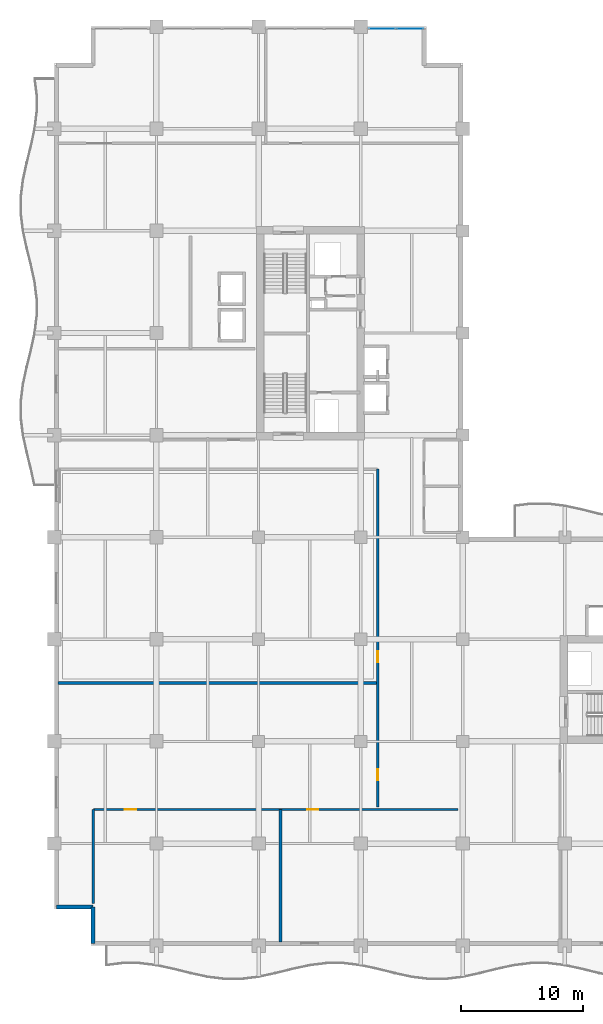
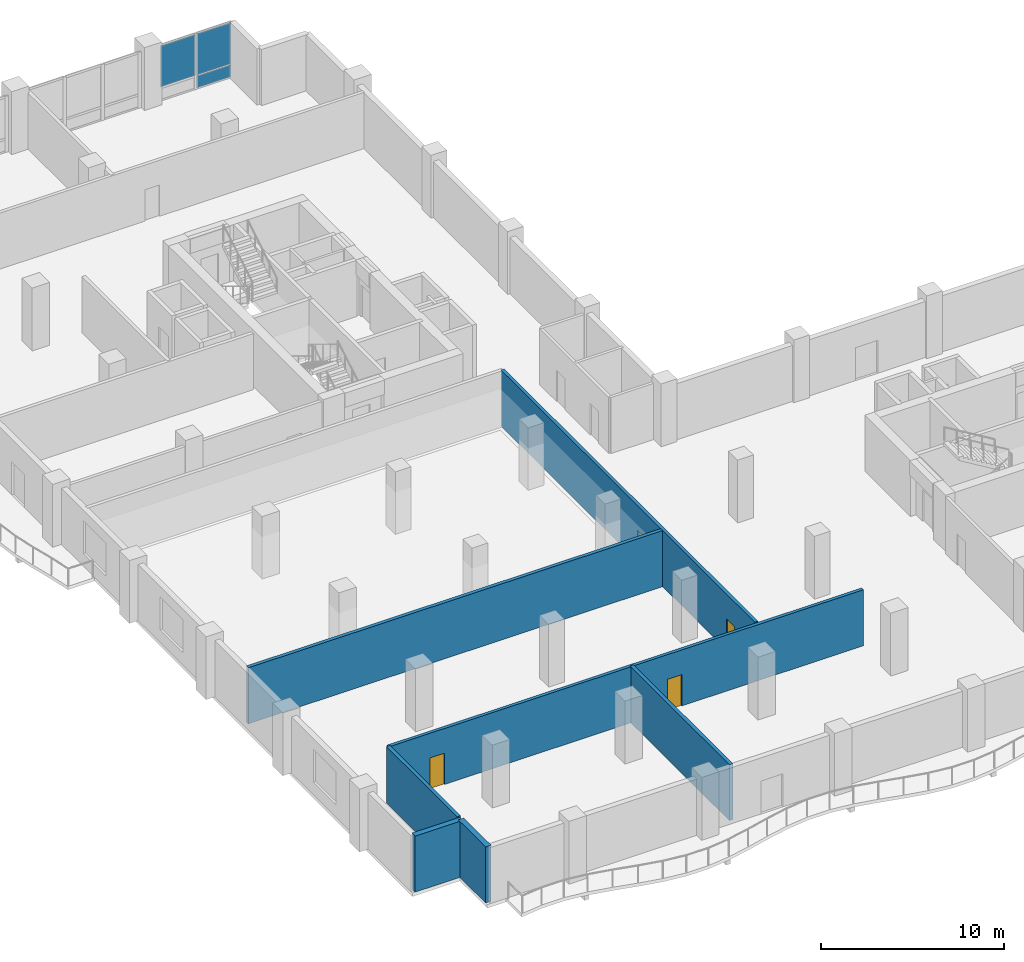
# One storey, part 10 of 21: 7 walls, 4 doors, 3 plates, 4 openings, 1 element without a shape of its own.
"""IFC4 building model written with IfcOpenShell, lengths in metres."""

from ifc_helpers import new_model, si_unit, direction, frame, frame_2d, origin, origin_2d, place, context, subcontext, project, spatial, rectangle, extrude, material, layer, layer_set, type_object, element, fill, aggregate, save


model = new_model("IFC4")

# Units and contexts
model_context = context("Model", 3, precision=1e-05, world=origin(), true_north=direction((0.0, 1.0)))
body_context = subcontext(model_context, "Body", "Model", "MODEL_VIEW")
ifc_project = project(units=[si_unit("LENGTHUNIT", "METRE"), si_unit("AREAUNIT", "SQUARE_METRE"), si_unit("VOLUMEUNIT", "CUBIC_METRE"), si_unit("PLANEANGLEUNIT", "RADIAN"), si_unit("MASSUNIT", "GRAM", prefix="KILO")], contexts=[model_context])

# Site, building, storey
site_placement = place(None, origin())
site = spatial("IfcSite", under=ifc_project, at=site_placement, CompositionType="ELEMENT")
building_placement = place(site_placement, origin())
building = spatial("IfcBuilding", under=site, at=building_placement, Name="Koriwani Terraces Tower", CompositionType="ELEMENT")
storey_placement = place(building_placement, frame((0.0, 0.0, 224.0)))
storey = spatial("IfcBuildingStorey", under=building, at=storey_placement, Name="L55", CompositionType="ELEMENT", Elevation=224.0)

# Curtain wall, plates
ifc_material_1 = material(Name="Anodised Bronze Aluminium", Category="aluminium")
ifc_layer_1 = layer(ifc_material_1, 0.219970703125, Name="Anodised Bronze Aluminium")
ifc_layer_set_1 = layer_set([ifc_layer_1], Name="Anodised Bronze Aluminium")
curtain_wall_type = type_object("IfcCurtainWallType", Name="CW_SKY_LOUNGE", PredefinedType="NOTDEFINED", material=ifc_layer_set_1)
curtain_wall_placement = place(storey_placement, origin())
curtain_wall = element("IfcCurtainWall", 1, at=curtain_wall_placement, inside=storey, type_object=curtain_wall_type, Name="L55 Unitised Curtain Wall (N_TIP) Bay 4", PredefinedType="NOTDEFINED")
ifc_material_2 = material(Name="Tempered Laminated Low-E Glass", Category="glass")
ifc_layer_2 = layer(ifc_material_2, 0.028076171875, Name="Tempered Laminated Low-E Glass")
ifc_layer_set_2 = layer_set([ifc_layer_2], Name="Tempered Laminated Low-E Glass")
plate_type = type_object("IfcPlateType", Name="CW_PANEL_VISION_28", PredefinedType="CURTAIN_PANEL", material=ifc_layer_set_2)
plate_1_placement = place(storey_placement, frame((26.985107421875, 75.425048828125, 0.9326171875), z_axis=(0.0, 0.0, 1.0), x_axis=(1.0, 0.0, 0.0)))
plate_1 = element("IfcPlate", 2, at=plate_1_placement, type_object=plate_type, Name="CW-SKY panel 1.2", PredefinedType="CURTAIN_PANEL", context=body_context, shape_type="SweptSolid", body=[
    extrude(rectangle(XDim=2.179931640625, YDim=0.028076171875, at=origin_2d()), origin(), (0.0, 0.0, 1.0), 2.75244140625),
])
plate_2_placement = place(storey_placement, frame((29.25, 75.425048828125, 0.06494140625), z_axis=(0.0, 0.0, 1.0), x_axis=(1.0, 0.0, 0.0)))
plate_2 = element("IfcPlate", 3, at=plate_2_placement, type_object=plate_type, Name="CW-SKY panel 2.1", PredefinedType="CURTAIN_PANEL", context=body_context, shape_type="SweptSolid", body=[
    extrude(rectangle(XDim=2.179931640625, YDim=0.028076171875, at=origin_2d()), origin(), (0.0, 0.0, 1.0), 0.802490234375),
])
plate_3_placement = place(storey_placement, frame((29.25, 75.425048828125, 0.9326171875), z_axis=(0.0, 0.0, 1.0), x_axis=(1.0, 0.0, 0.0)))
plate_3 = element("IfcPlate", 4, at=plate_3_placement, type_object=plate_type, Name="CW-SKY panel 2.2", PredefinedType="CURTAIN_PANEL", context=body_context, shape_type="SweptSolid", body=[
    extrude(rectangle(XDim=2.179931640625, YDim=0.028076171875, at=origin_2d()), origin(), (0.0, 0.0, 1.0), 2.75244140625),
])
aggregate(curtain_wall, [plate_1, plate_2, plate_3])

# Wall, openings, doors
ifc_material_3 = material(Name="Autoclaved Cellular Concrete Blockwork", Category="masonry")
ifc_layer_3 = layer(ifc_material_3, 0.199951171875, Name="Autoclaved Cellular Concrete Blockwork")
ifc_layer_set_3 = layer_set([ifc_layer_3], Name="Autoclaved Cellular Concrete Blockwork")
wall_type_1 = type_object("IfcWallType", Name="WALL_CORRIDOR_200", PredefinedType="PARTITIONING", material=ifc_layer_set_3)
wall_1_placement = place(storey_placement, frame((3.199951171875, 11.199951171875, 0.0), z_axis=(0.0, 0.0, 1.0), x_axis=(1.0, 0.0, 0.0)))
wall_1 = element("IfcWall", 5, at=wall_1_placement, inside=storey, type_object=wall_type_1, Name="L55 Interior Wall WSKY-SPN-L55", PredefinedType="PARTITIONING", context=body_context, shape_type="SweptSolid", body=[
    extrude(rectangle(XDim=30.0, YDim=0.199951171875, at=frame_2d((15.0, 0.0))), origin(), (0.0, 0.0, 1.0), 3.75),
])
opening_1_placement = place(wall_1_placement, frame((2.60009765625, 0.0, 0.0)))
opening_1 = element("IfcOpeningElement", 6, at=opening_1_placement, cuts=wall_1, Name="Opening D-06", PredefinedType="OPENING", context=body_context, shape_type="SweptSolid", body=[
    extrude(rectangle(XDim=0.919921875, YDim=2.10009765625, at=frame_2d((0.4599609375, 1.050048828125))), frame((0.0, 0.10986328125, 0.0), z_axis=(0.0, -1.0, 0.0), x_axis=(1.0, 0.0, 0.0)), (0.0, 0.0, 1.0), 0.219970703125),
])
opening_2_placement = place(wall_1_placement, frame((17.60009765625, 0.0, 0.0)))
opening_2 = element("IfcOpeningElement", 7, at=opening_2_placement, cuts=wall_1, Name="Opening D-06", PredefinedType="OPENING", context=body_context, shape_type="SweptSolid", body=[
    extrude(rectangle(XDim=0.919921875, YDim=2.10009765625, at=frame_2d((0.4599609375, 1.050048828125))), frame((0.0, 0.10986328125, 0.0), z_axis=(0.0, -1.0, 0.0), x_axis=(1.0, 0.0, 0.0)), (0.0, 0.0, 1.0), 0.219970703125),
])
ifc_material_4 = material(Name="Architectural Oak Fire Door", Category="wood")
door_type = type_object("IfcDoorType", Name="DOOR_ROOM_INT_920X2100", OperationType="NOTDEFINED", PredefinedType="DOOR", material=ifc_material_4)
door_1_placement = place(opening_1_placement, origin())
door_1 = element("IfcDoor", 8, at=door_1_placement, inside=storey, type_object=door_type, Name="L55 Sky Spa Salon Door", OperationType="SINGLE_SWING_LEFT", OverallHeight=2.10009765625, OverallWidth=0.919921875, PredefinedType="DOOR", context=body_context, shape_type="SweptSolid", body=[
    extrude(rectangle(XDim=0.919921875, YDim=2.10009765625, at=frame_2d((0.4599609375, 1.050048828125))), frame((0.0, 0.02490234375, 0.0), z_axis=(0.0, -1.0, 0.0), x_axis=(1.0, 0.0, 0.0)), (0.0, 0.0, 1.0), 0.050048828125),
])
fill(opening_1, door_1)
door_2_placement = place(opening_2_placement, origin())
door_2 = element("IfcDoor", 9, at=door_2_placement, inside=storey, type_object=door_type, Name="L55 Sommelier Kitchen Door", OperationType="SINGLE_SWING_RIGHT", OverallHeight=2.10009765625, OverallWidth=0.919921875, PredefinedType="DOOR", context=body_context, shape_type="SweptSolid", body=[
    extrude(rectangle(XDim=0.919921875, YDim=2.10009765625, at=frame_2d((0.4599609375, 1.050048828125))), frame((0.0, 0.02490234375, 0.0), z_axis=(0.0, -1.0, 0.0), x_axis=(1.0, 0.0, 0.0)), (0.0, 0.0, 1.0), 0.050048828125),
])
fill(opening_2, door_2)

wall_2_placement = place(storey_placement, frame((26.60009765625, 11.39990234375, 0.0), z_axis=(0.0, 0.0, 1.0), x_axis=(0.0, 1.0, 0.0)))
wall_2 = element("IfcWall", 10, at=wall_2_placement, inside=storey, type_object=wall_type_1, Name="L55 Interior Wall WSKY-WME-L55", PredefinedType="PARTITIONING", context=body_context, shape_type="SweptSolid", body=[
    extrude(rectangle(XDim=27.800048828125, YDim=0.199951171875, at=frame_2d((13.89990234375, 0.0))), origin(), (0.0, 0.0, 1.0), 3.75),
])
opening_3_placement = place(wall_2_placement, frame((2.199951171875, 0.0, 0.0)))
opening_3 = element("IfcOpeningElement", 11, at=opening_3_placement, cuts=wall_2, Name="Opening D-06", PredefinedType="OPENING", context=body_context, shape_type="SweptSolid", body=[
    extrude(rectangle(XDim=0.919921875, YDim=2.10009765625, at=frame_2d((0.4599609375, 1.050048828125))), frame((0.0, 0.10986328125, 0.0), z_axis=(0.0, -1.0, 0.0), x_axis=(1.0, 0.0, 0.0)), (0.0, 0.0, 1.0), 0.219970703125),
])
opening_4_placement = place(wall_2_placement, frame((11.89990234375, 0.0, 0.0)))
opening_4 = element("IfcOpeningElement", 12, at=opening_4_placement, cuts=wall_2, Name="Opening D-06", PredefinedType="OPENING", context=body_context, shape_type="SweptSolid", body=[
    extrude(rectangle(XDim=0.919921875, YDim=2.10009765625, at=frame_2d((0.4599609375, 1.050048828125))), frame((0.0, 0.10986328125, 0.0), z_axis=(0.0, -1.0, 0.0), x_axis=(1.0, 0.0, 0.0)), (0.0, 0.0, 1.0), 0.219970703125),
])
door_3_placement = place(opening_3_placement, origin())
door_3 = element("IfcDoor", 13, at=door_3_placement, inside=storey, type_object=door_type, Name="L55 Screening Room Door", OperationType="SINGLE_SWING_LEFT", OverallHeight=2.10009765625, OverallWidth=0.919921875, PredefinedType="DOOR", context=body_context, shape_type="SweptSolid", body=[
    extrude(rectangle(XDim=0.919921875, YDim=2.10009765625, at=frame_2d((0.4599609375, 1.050048828125))), frame((0.0, 0.02490234375, 0.0), z_axis=(0.0, -1.0, 0.0), x_axis=(1.0, 0.0, 0.0)), (0.0, 0.0, 1.0), 0.050048828125),
])
fill(opening_3, door_3)
door_4_placement = place(opening_4_placement, origin())
door_4 = element("IfcDoor", 14, at=door_4_placement, inside=storey, type_object=door_type, Name="L55 Study Library Door", OperationType="SINGLE_SWING_RIGHT", OverallHeight=2.10009765625, OverallWidth=0.919921875, PredefinedType="DOOR", context=body_context, shape_type="SweptSolid", body=[
    extrude(rectangle(XDim=0.919921875, YDim=2.10009765625, at=frame_2d((0.4599609375, 1.050048828125))), frame((0.0, 0.02490234375, 0.0), z_axis=(0.0, -1.0, 0.0), x_axis=(1.0, 0.0, 0.0)), (0.0, 0.0, 1.0), 0.050048828125),
])
fill(opening_4, door_4)

# Walls
ifc_layer_4 = layer(ifc_material_3, 0.219970703125, Name="Autoclaved Cellular Concrete Blockwork")
ifc_layer_set_4 = layer_set([ifc_layer_4], Name="Autoclaved Cellular Concrete Blockwork")
wall_type_2 = type_object("IfcWallType", Name="WALL_DEMISING_220", PredefinedType="PARTITIONING", material=ifc_layer_set_4)
wall_3_placement = place(storey_placement, frame((3.199951171875, 3.449951171875, 0.0), z_axis=(0.0, 0.0, 1.0), x_axis=(0.0, 1.0, 0.0)))
element("IfcWall", 15, at=wall_3_placement, inside=storey, type_object=wall_type_2, Name="L55 Interior Wall WSKY-SPW-L55", PredefinedType="PARTITIONING", context=body_context, shape_type="SweptSolid", body=[
    extrude(rectangle(XDim=7.75, YDim=0.219970703125, at=frame_2d((3.875, 0.0))), origin(), (0.0, 0.0, 1.0), 3.75),
])
wall_4_placement = place(storey_placement, frame((18.60009765625, 0.300048828125, 0.0), z_axis=(0.0, 0.0, 1.0), x_axis=(0.0, 1.0, 0.0)))
element("IfcWall", 16, at=wall_4_placement, inside=storey, type_object=wall_type_2, Name="L55 Interior Wall WSKY-SPM-L55", PredefinedType="PARTITIONING", context=body_context, shape_type="SweptSolid", body=[
    extrude(rectangle(XDim=10.89990234375, YDim=0.219970703125, at=frame_2d((5.449951171875, 0.0))), origin(), (0.0, 0.0, 1.0), 3.75),
])
wall_5_placement = place(storey_placement, frame((0.300048828125, 21.60009765625, 0.0), z_axis=(0.0, 0.0, 1.0), x_axis=(1.0, 0.0, 0.0)))
element("IfcWall", 17, at=wall_5_placement, inside=storey, type_object=wall_type_2, Name="L55 Interior Wall WSKY-WMM-L55", PredefinedType="PARTITIONING", context=body_context, shape_type="SweptSolid", body=[
    extrude(rectangle(XDim=26.300048828125, YDim=0.219970703125, at=frame_2d((13.14990234375, 0.0))), origin(), (0.0, 0.0, 1.0), 3.75),
])
ifc_material_5 = material(Name="Concrete C50/60", Category="concrete")
ifc_layer_5 = layer(ifc_material_5, 0.35009765625, Name="Concrete C50/60")
ifc_layer_set_5 = layer_set([ifc_layer_5], Name="Concrete C50/60")
wall_type_3 = type_object("IfcWallType", Name="WALL_EXT_BRUTALIST_350", PredefinedType="STANDARD", material=ifc_layer_set_5)
for number, where, z_axis, x_axis, name in (
    (18, (3.175048828125, 0.175048828125, 0.0), (0.0, 0.0, 1.0), (0.0, 1.0, 0.0), "L55 Fair-Faced Brutalist Exterior Wall (N0)"),
    (19, (3.175048828125, 3.175048828125, 0.0), (0.0, 0.0, 1.0), (-1.0, 0.0, 0.0), "L55 Fair-Faced Brutalist Exterior Wall (N1)"),
):
    element("IfcWall", number, at=place(storey_placement, frame(where, z_axis=z_axis, x_axis=x_axis)), inside=storey, type_object=wall_type_3, Name=name, PredefinedType="STANDARD", context=body_context, shape_type="SweptSolid", body=[
        extrude(rectangle(XDim=3.0, YDim=0.35009765625, at=frame_2d((1.5, 0.0))), origin(), (0.0, 0.0, 1.0), 3.75),
    ])

save(model, "model.ifc")
